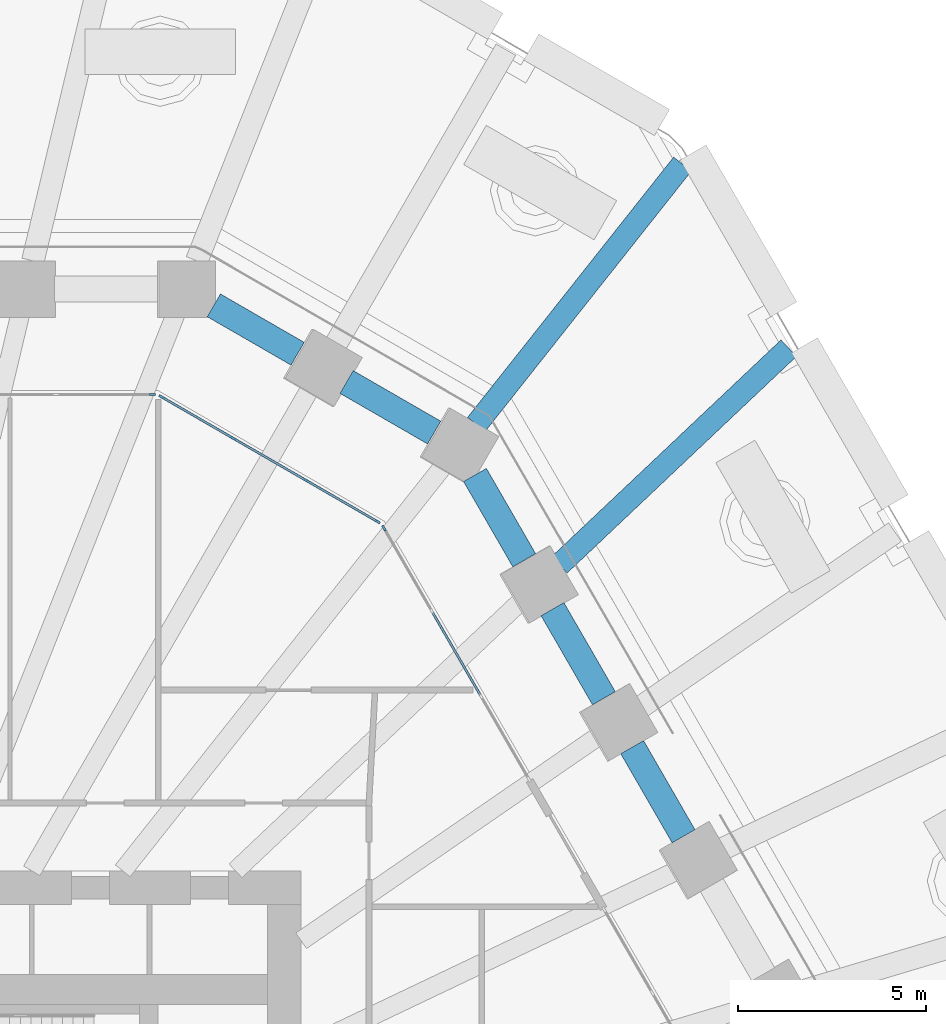
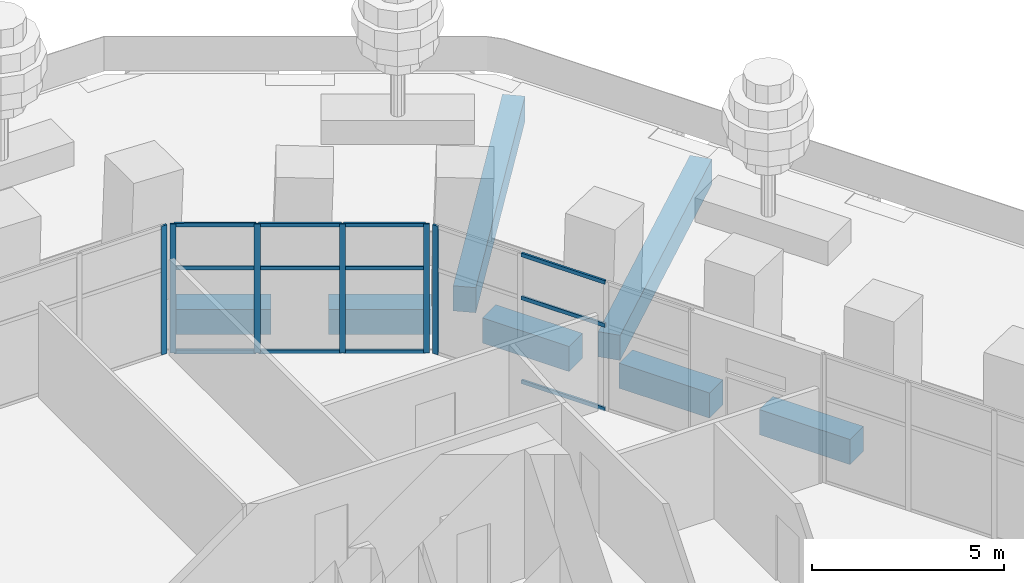
# One storey, part 15 of 32: 18 members, 7 beams, 3 elements without a shape of their own.
"""IFC4 building model written with IfcOpenShell, lengths in metres."""

from ifc_helpers import new_model, si_unit, direction, frame, origin, origin_2d, place, context, subcontext, project, spatial, rectangle, extrude, material, material_profile, profile_set, type_object, element, aggregate, save


model = new_model("IFC4")

# Units and contexts
model_context = context("Model", 3, precision=1e-05, world=origin(), true_north=direction((0.0, 1.0)))
body_context = subcontext(model_context, "Body", "Model", "MODEL_VIEW")
ifc_project = project(units=[si_unit("LENGTHUNIT", "METRE"), si_unit("AREAUNIT", "SQUARE_METRE"), si_unit("VOLUMEUNIT", "CUBIC_METRE"), si_unit("PLANEANGLEUNIT", "RADIAN"), si_unit("MASSUNIT", "GRAM", prefix="KILO")], contexts=[model_context])

# Site, building, storey
site_placement = place(None, origin())
site = spatial("IfcSite", under=ifc_project, at=site_placement, CompositionType="ELEMENT")
building_placement = place(site_placement, origin())
building = spatial("IfcBuilding", under=site, at=building_placement, Name="Frailejon Research Tower", CompositionType="ELEMENT")
storey_placement = place(building_placement, frame((0.0, 0.0, 14.60009765625)))
storey = spatial("IfcBuildingStorey", under=building, at=storey_placement, Name="L03", CompositionType="ELEMENT", Elevation=14.60009765625)

# Curtain wall, member
ifc_material_1 = material(Name="Aluminium curtain wall", Category="aluminium")
curtain_wall_type = type_object("IfcCurtainWallType", Name="Base zone unitised curtain wall system", PredefinedType="NOTDEFINED", material=ifc_material_1)
curtain_wall_1_placement = place(storey_placement, origin())
curtain_wall_1 = element("IfcCurtainWall", 1, at=curtain_wall_1_placement, inside=storey, type_object=curtain_wall_type, Name="Curtain wall L03", PredefinedType="NOTDEFINED")
ifc_material_2 = material(Name="Aluminium extrusion", Category="aluminium")
ifc_material_profile_1 = material_profile(ifc_material_2, rectangle(XDim=0.06005859375, YDim=0.159912109375, at=origin_2d()), Name="Base zone unitised curtain wall mullion 60x160")
ifc_profile_set_1 = profile_set([ifc_material_profile_1], Name="Aluminium extrusion")
member_type_1 = type_object("IfcMemberType", Name="Base zone unitised curtain wall mullion 60x160", PredefinedType="MULLION", material=ifc_profile_set_1)
member_1_placement = place(storey_placement, frame((15.84814453125, 20.35009765625, 0.0), z_axis=(0.0, 0.0, 1.0), x_axis=(-0.866029434533, -0.499993018474, 0.0)))
member_1 = element("IfcMember", 2, at=member_1_placement, type_object=member_type_1, Name="CW3-047 mullion 4", PredefinedType="MULLION", context=body_context, shape_type="SweptSolid", body=[
    extrude(rectangle(XDim=0.06005859375, YDim=0.159912109375, at=origin_2d()), origin(), (0.0, 0.0, 1.0), 4.099853515625),
])

# Curtain wall, members
curtain_wall_2_placement = place(storey_placement, origin())
curtain_wall_2 = element("IfcCurtainWall", 3, at=curtain_wall_2_placement, inside=storey, type_object=curtain_wall_type, Name="Curtain wall L03", PredefinedType="NOTDEFINED")
member_2_placement = place(storey_placement, frame((15.670654296875, 20.527587890625, 0.0), z_axis=(0.0, 0.0, 1.0), x_axis=(-0.499998258782, -0.866026409075, 0.0)))
member_2 = element("IfcMember", 4, at=member_2_placement, type_object=member_type_1, Name="CW3-048 mullion 1", PredefinedType="MULLION", context=body_context, shape_type="SweptSolid", body=[
    extrude(rectangle(XDim=0.06005859375, YDim=0.159912109375, at=origin_2d()), origin(), (0.0, 0.0, 1.0), 4.099853515625),
])
member_3_placement = place(storey_placement, frame((13.769775390625, 21.625244140625, 0.0), z_axis=(0.0, 0.0, 1.0), x_axis=(-0.499998258782, -0.866026409075, 0.0)))
member_3 = element("IfcMember", 5, at=member_3_placement, type_object=member_type_1, Name="CW3-048 mullion 2", PredefinedType="MULLION", context=body_context, shape_type="SweptSolid", body=[
    extrude(rectangle(XDim=0.06005859375, YDim=0.159912109375, at=origin_2d()), origin(), (0.0, 0.0, 1.0), 4.099853515625),
])
member_4_placement = place(storey_placement, frame((11.843017578125, 22.737548828125, 0.0), z_axis=(0.0, 0.0, 1.0), x_axis=(-0.499998258782, -0.866026409075, 0.0)))
member_4 = element("IfcMember", 6, at=member_4_placement, type_object=member_type_1, Name="CW3-048 mullion 3", PredefinedType="MULLION", context=body_context, shape_type="SweptSolid", body=[
    extrude(rectangle(XDim=0.06005859375, YDim=0.159912109375, at=origin_2d()), origin(), (0.0, 0.0, 1.0), 4.099853515625),
])
member_5_placement = place(storey_placement, frame((9.942138671875, 23.8349609375, 0.0), z_axis=(0.0, 0.0, 1.0), x_axis=(-0.499998258782, -0.866026409075, 0.0)))
member_5 = element("IfcMember", 7, at=member_5_placement, type_object=member_type_1, Name="CW3-048 mullion 4", PredefinedType="MULLION", context=body_context, shape_type="SweptSolid", body=[
    extrude(rectangle(XDim=0.06005859375, YDim=0.159912109375, at=origin_2d()), origin(), (0.0, 0.0, 1.0), 4.099853515625),
])

# Curtain wall, member
curtain_wall_3_placement = place(storey_placement, origin())
curtain_wall_3 = element("IfcCurtainWall", 8, at=curtain_wall_3_placement, inside=storey, type_object=curtain_wall_type, Name="Curtain wall L03", PredefinedType="NOTDEFINED")
member_6_placement = place(storey_placement, frame((9.69970703125, 23.89990234375, 0.0), z_axis=(0.0, 0.0, 1.0), x_axis=(0.0, -1.0, 0.0)))
member_6 = element("IfcMember", 9, at=member_6_placement, type_object=member_type_1, Name="CW3-049 mullion 1", PredefinedType="MULLION", context=body_context, shape_type="SweptSolid", body=[
    extrude(rectangle(XDim=0.06005859375, YDim=0.159912109375, at=origin_2d()), origin(), (0.0, 0.0, 1.0), 4.099853515625),
])
aggregate(curtain_wall_3, [member_6])

# Member
ifc_material_3 = material(Name="Aluminium extrusion", Category="aluminium")
ifc_material_profile_2 = material_profile(ifc_material_3, rectangle(XDim=0.06005859375, YDim=0.1201171875, at=origin_2d()), Name="Base zone unitised curtain wall transom 60x120")
ifc_profile_set_2 = profile_set([ifc_material_profile_2], Name="Aluminium extrusion")
member_type_2 = type_object("IfcMemberType", Name="Base zone unitised curtain wall transom 60x120", PredefinedType="USERDEFINED", material=ifc_profile_set_2)
member_7_placement = place(storey_placement, frame((18.406005859375, 15.919677734375, 0.02978515625), z_axis=(-0.499992766374, 0.86602958008, 0.0), x_axis=(-0.86602958008, -0.499992766374, 0.0)))
member_7 = element("IfcMember", 10, at=member_7_placement, type_object=member_type_2, Name="CW3-047 transom 2.1", ObjectType="TRANSOM", PredefinedType="USERDEFINED", context=body_context, shape_type="SweptSolid", body=[
    extrude(rectangle(XDim=0.06005859375, YDim=0.1201171875, at=origin_2d()), origin(), (0.0, 0.0, 1.0), 2.52783203125),
])

member_8_placement = place(storey_placement, frame((18.406005859375, 15.919677734375, 2.699951171875), z_axis=(-0.499992766374, 0.86602958008, 0.0), x_axis=(-0.86602958008, -0.499992766374, 0.0)))
member_8 = element("IfcMember", 11, at=member_8_placement, type_object=member_type_2, Name="CW3-047 transom 2.2", ObjectType="TRANSOM", PredefinedType="USERDEFINED", context=body_context, shape_type="SweptSolid", body=[
    extrude(rectangle(XDim=0.06005859375, YDim=0.1201171875, at=origin_2d()), origin(), (0.0, 0.0, 1.0), 2.52783203125),
])

member_9_placement = place(storey_placement, frame((18.406005859375, 15.919677734375, 4.06982421875), z_axis=(-0.499992766374, 0.86602958008, 0.0), x_axis=(-0.86602958008, -0.499992766374, 0.0)))
member_9 = element("IfcMember", 12, at=member_9_placement, type_object=member_type_2, Name="CW3-047 transom 2.3", ObjectType="TRANSOM", PredefinedType="USERDEFINED", context=body_context, shape_type="SweptSolid", body=[
    extrude(rectangle(XDim=0.06005859375, YDim=0.1201171875, at=origin_2d()), origin(), (0.0, 0.0, 1.0), 2.52783203125),
])

aggregate(curtain_wall_1, [member_1, member_7, member_8, member_9])

member_10_placement = place(storey_placement, frame((15.64453125, 20.542724609375, 0.02978515625), z_axis=(-0.866010359988, 0.500026055714, 0.0), x_axis=(-0.500026055714, -0.866010359988, 0.0)))
member_10 = element("IfcMember", 13, at=member_10_placement, type_object=member_type_2, Name="CW3-048 transom 1.1", ObjectType="TRANSOM", PredefinedType="USERDEFINED", context=body_context, shape_type="SweptSolid", body=[
    extrude(rectangle(XDim=0.06005859375, YDim=0.1201171875, at=origin_2d()), origin(), (0.0, 0.0, 1.0), 2.134765625),
])

member_11_placement = place(storey_placement, frame((15.64453125, 20.542724609375, 2.699951171875), z_axis=(-0.866010359988, 0.500026055714, 0.0), x_axis=(-0.500026055714, -0.866010359988, 0.0)))
member_11 = element("IfcMember", 14, at=member_11_placement, type_object=member_type_2, Name="CW3-048 transom 1.2", ObjectType="TRANSOM", PredefinedType="USERDEFINED", context=body_context, shape_type="SweptSolid", body=[
    extrude(rectangle(XDim=0.06005859375, YDim=0.1201171875, at=origin_2d()), origin(), (0.0, 0.0, 1.0), 2.134765625),
])

member_12_placement = place(storey_placement, frame((15.64453125, 20.542724609375, 4.06982421875), z_axis=(-0.866010359988, 0.500026055714, 0.0), x_axis=(-0.500026055714, -0.866010359988, 0.0)))
member_12 = element("IfcMember", 15, at=member_12_placement, type_object=member_type_2, Name="CW3-048 transom 1.3", ObjectType="TRANSOM", PredefinedType="USERDEFINED", context=body_context, shape_type="SweptSolid", body=[
    extrude(rectangle(XDim=0.06005859375, YDim=0.1201171875, at=origin_2d()), origin(), (0.0, 0.0, 1.0), 2.134765625),
])

member_13_placement = place(storey_placement, frame((13.743896484375, 21.64013671875, 0.02978515625), z_axis=(-0.866027848477, 0.499995765644, 0.0), x_axis=(-0.499995765644, -0.866027848477, 0.0)))
member_13 = element("IfcMember", 16, at=member_13_placement, type_object=member_type_2, Name="CW3-048 transom 2.1", ObjectType="TRANSOM", PredefinedType="USERDEFINED", context=body_context, shape_type="SweptSolid", body=[
    extrude(rectangle(XDim=0.06005859375, YDim=0.1201171875, at=origin_2d()), origin(), (0.0, 0.0, 1.0), 2.1650390625),
])

member_14_placement = place(storey_placement, frame((13.743896484375, 21.64013671875, 2.699951171875), z_axis=(-0.866027848477, 0.499995765644, 0.0), x_axis=(-0.499995765644, -0.866027848477, 0.0)))
member_14 = element("IfcMember", 17, at=member_14_placement, type_object=member_type_2, Name="CW3-048 transom 2.2", ObjectType="TRANSOM", PredefinedType="USERDEFINED", context=body_context, shape_type="SweptSolid", body=[
    extrude(rectangle(XDim=0.06005859375, YDim=0.1201171875, at=origin_2d()), origin(), (0.0, 0.0, 1.0), 2.1650390625),
])

member_15_placement = place(storey_placement, frame((13.743896484375, 21.64013671875, 4.06982421875), z_axis=(-0.866027848477, 0.499995765644, 0.0), x_axis=(-0.499995765644, -0.866027848477, 0.0)))
member_15 = element("IfcMember", 18, at=member_15_placement, type_object=member_type_2, Name="CW3-048 transom 2.3", ObjectType="TRANSOM", PredefinedType="USERDEFINED", context=body_context, shape_type="SweptSolid", body=[
    extrude(rectangle(XDim=0.06005859375, YDim=0.1201171875, at=origin_2d()), origin(), (0.0, 0.0, 1.0), 2.1650390625),
])

member_16_placement = place(storey_placement, frame((11.817138671875, 22.752685546875, 0.02978515625), z_axis=(-0.866038951244, 0.499976534377, 0.0), x_axis=(-0.499976534377, -0.866038951244, 0.0)))
member_16 = element("IfcMember", 19, at=member_16_placement, type_object=member_type_2, Name="CW3-048 transom 3.1", ObjectType="TRANSOM", PredefinedType="USERDEFINED", context=body_context, shape_type="SweptSolid", body=[
    extrude(rectangle(XDim=0.06005859375, YDim=0.1201171875, at=origin_2d()), origin(), (0.0, 0.0, 1.0), 2.134765625),
])

member_17_placement = place(storey_placement, frame((11.817138671875, 22.752685546875, 2.699951171875), z_axis=(-0.866038951244, 0.499976534377, 0.0), x_axis=(-0.499976534377, -0.866038951244, 0.0)))
member_17 = element("IfcMember", 20, at=member_17_placement, type_object=member_type_2, Name="CW3-048 transom 3.2", ObjectType="TRANSOM", PredefinedType="USERDEFINED", context=body_context, shape_type="SweptSolid", body=[
    extrude(rectangle(XDim=0.06005859375, YDim=0.1201171875, at=origin_2d()), origin(), (0.0, 0.0, 1.0), 2.134765625),
])

member_18_placement = place(storey_placement, frame((11.817138671875, 22.752685546875, 4.06982421875), z_axis=(-0.866038951244, 0.499976534377, 0.0), x_axis=(-0.499976534377, -0.866038951244, 0.0)))
member_18 = element("IfcMember", 21, at=member_18_placement, type_object=member_type_2, Name="CW3-048 transom 3.3", ObjectType="TRANSOM", PredefinedType="USERDEFINED", context=body_context, shape_type="SweptSolid", body=[
    extrude(rectangle(XDim=0.06005859375, YDim=0.1201171875, at=origin_2d()), origin(), (0.0, 0.0, 1.0), 2.134765625),
])

aggregate(curtain_wall_2, [member_2, member_3, member_4, member_5, member_10, member_11, member_12, member_13, member_14, member_15, member_16, member_17, member_18])

# Beams
ifc_material_4 = material(Name="Concrete C60/75", Category="concrete")
ifc_material_profile_3 = material_profile(ifc_material_4, rectangle(XDim=0.60009765625, YDim=0.800048828125, at=origin_2d()), Name="Deck girder")
ifc_profile_set_3 = profile_set([ifc_material_profile_3], Name="Concrete C60/75")
beam_type_1 = type_object("IfcBeamType", Name="Deck girder", PredefinedType="BEAM", material=ifc_profile_set_3)
beam_1_placement = place(storey_placement, frame((20.50927734375, 19.376953125, -0.800048828125), z_axis=(0.726887862769, 0.68675616849, 0.0), x_axis=(-0.68675616849, 0.726887862769, 0.0)))
element("IfcBeam", 22, at=beam_1_placement, inside=storey, type_object=beam_type_1, Name="Deck girder", PredefinedType="BEAM", context=body_context, shape_type="SweptSolid", body=[
    extrude(rectangle(XDim=0.60009765625, YDim=0.800048828125, at=origin_2d()), origin(), (0.0, 0.0, 1.0), 8.376953125),
])
beam_2_placement = place(storey_placement, frame((18.3037109375, 23.106689453125, -0.800048828125), z_axis=(0.620915030495, 0.78387787627, 0.0), x_axis=(-0.78387787627, 0.620915030495, 0.0)))
element("IfcBeam", 23, at=beam_2_placement, inside=storey, type_object=beam_type_1, Name="Deck girder", PredefinedType="BEAM", context=body_context, shape_type="SweptSolid", body=[
    extrude(rectangle(XDim=0.60009765625, YDim=0.800048828125, at=origin_2d()), origin(), (0.0, 0.0, 1.0), 8.81494140625),
])
ifc_material_5 = material(Name="Concrete C60/75", Category="concrete")
ifc_material_profile_4 = material_profile(ifc_material_5, rectangle(XDim=0.699951171875, YDim=0.800048828125, at=origin_2d()), Name="Spandrel 700x800")
ifc_profile_set_4 = profile_set([ifc_material_profile_4], Name="Concrete C60/75")
beam_type_2 = type_object("IfcBeamType", Name="Spandrel 700x800", PredefinedType="BEAM", material=ifc_profile_set_4)
for number, where, z_axis, x_axis, name in (
    (24, (23.805908203125, 12.1669921875, -0.75), (-0.499993199895, 0.866029329791, 0.0), (-0.866029329791, -0.499993199895, 0.0), "Spandrel 700x800"),
    (25, (21.68994140625, 15.83203125, -0.75), (-0.499993199895, 0.866029329791, 0.0), (-0.866029329791, -0.499993199895, 0.0), "Spandrel 700x800"),
):
    element("IfcBeam", number, at=place(storey_placement, frame(where, z_axis=z_axis, x_axis=x_axis)), inside=storey, type_object=beam_type_2, Name=name, PredefinedType="BEAM", context=body_context, shape_type="SweptSolid", body=[
        extrude(rectangle(XDim=0.699951171875, YDim=0.800048828125, at=origin_2d()), origin(), (0.0, 0.0, 1.0), 2.73193359375),
    ])
beam_3_placement = place(storey_placement, frame((19.573974609375, 19.4970703125, -0.75), z_axis=(-0.500053675867, 0.86599441179, 0.0), x_axis=(-0.86599441179, -0.500053675867, 0.0)))
element("IfcBeam", 26, at=beam_3_placement, inside=storey, type_object=beam_type_2, Name="Spandrel 700x800", PredefinedType="BEAM", context=body_context, shape_type="SweptSolid", body=[
    extrude(rectangle(XDim=0.699951171875, YDim=0.800048828125, at=origin_2d()), origin(), (0.0, 0.0, 1.0), 2.615966796875),
])
beam_4_placement = place(storey_placement, frame((17.183349609375, 22.887451171875, -0.75), z_axis=(-0.866020687897, 0.500008168067, 0.0), x_axis=(-0.500008168067, -0.866020687897, 0.0)))
element("IfcBeam", 27, at=beam_4_placement, inside=storey, type_object=beam_type_2, Name="Spandrel 700x800", PredefinedType="BEAM", context=body_context, shape_type="SweptSolid", body=[
    extrude(rectangle(XDim=0.699951171875, YDim=0.800048828125, at=origin_2d()), origin(), (0.0, 0.0, 1.0), 2.6875),
])
beam_5_placement = place(storey_placement, frame((13.556884765625, 24.981201171875, -0.75), z_axis=(-0.866008514048, 0.50002925274, 0.0), x_axis=(-0.50002925274, -0.866008514048, 0.0)))
element("IfcBeam", 28, at=beam_5_placement, inside=storey, type_object=beam_type_2, Name="Spandrel 700x800", PredefinedType="BEAM", context=body_context, shape_type="SweptSolid", body=[
    extrude(rectangle(XDim=0.699951171875, YDim=0.800048828125, at=origin_2d()), origin(), (0.0, 0.0, 1.0), 2.571533203125),
])

save(model, "model.ifc")
